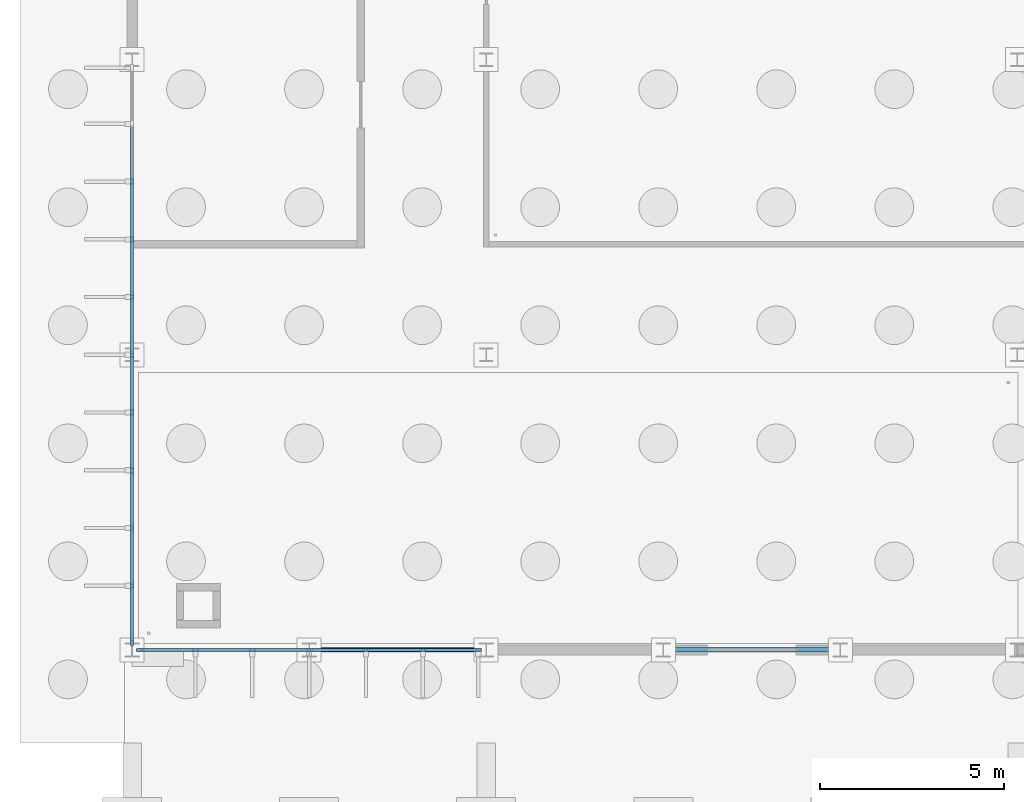
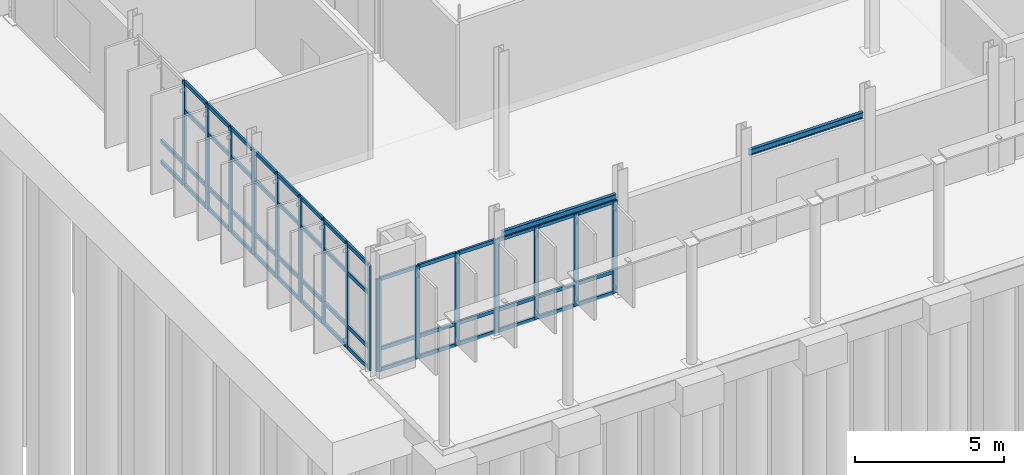
# One storey, part 21 of 111: 68 members, 2 beams, 2 elements without a shape of their own.
"""IFC4 building model written with IfcOpenShell, lengths in metres."""

from ifc_helpers import new_model, si_unit, direction, frame, origin, origin_2d, place, context, subcontext, project, spatial, rectangle, i_section, extrude, material, material_profile, profile_set, type_object, element, aggregate, save


model = new_model("IFC4")

# Units and contexts
model_context = context("Model", 3, precision=1e-05, world=origin(), true_north=direction((0.0, 1.0)))
body_context = subcontext(model_context, "Body", "Model", "MODEL_VIEW")
ifc_project = project(units=[si_unit("LENGTHUNIT", "METRE"), si_unit("AREAUNIT", "SQUARE_METRE"), si_unit("VOLUMEUNIT", "CUBIC_METRE"), si_unit("PLANEANGLEUNIT", "RADIAN"), si_unit("MASSUNIT", "GRAM", prefix="KILO")], contexts=[model_context])

# Site, building, storey
site_placement = place(None, origin())
site = spatial("IfcSite", under=ifc_project, at=site_placement, CompositionType="ELEMENT")
building_placement = place(site_placement, origin())
building = spatial("IfcBuilding", under=site, at=building_placement, Name="Dunescarp Central Library", CompositionType="ELEMENT")
storey_placement = place(building_placement, origin())
storey = spatial("IfcBuildingStorey", under=building, at=storey_placement, Name="L00", CompositionType="ELEMENT", Elevation=0.0)

# Curtain wall, members
ifc_material_1 = material(Name="Marine-grade anodised aluminium 6063-T6", Category="aluminium")
curtain_wall_type = type_object("IfcCurtainWallType", Name="ARC-CW-STICK", PredefinedType="NOTDEFINED", material=ifc_material_1)
curtain_wall_1_placement = place(storey_placement, origin())
curtain_wall_1 = element("IfcCurtainWall", 1, at=curtain_wall_1_placement, inside=storey, type_object=curtain_wall_type, Name="L00 curtain wall CW-V1-001", PredefinedType="NOTDEFINED")
ifc_material_profile_1 = material_profile(ifc_material_1, rectangle(XDim=0.080078125, YDim=0.179931640625, at=origin_2d()), Name="AL 80x180")
ifc_profile_set_1 = profile_set([ifc_material_profile_1], Name="Marine-grade anodised aluminium 6063-T6")
member_type_1 = type_object("IfcMemberType", Name="ARC-CWM-180", PredefinedType="MULLION", material=ifc_profile_set_1)
member_1_placement = place(storey_placement, frame((9.385009765625, 4.800048828125, 0.0), z_axis=(0.0, 0.0, 1.0), x_axis=(0.0, -1.0, 0.0)))
member_1 = element("IfcMember", 2, at=member_1_placement, type_object=member_type_1, Name="CW-V1-001 mullion 1", PredefinedType="MULLION", context=body_context, shape_type="SweptSolid", body=[
    extrude(rectangle(XDim=0.080078125, YDim=0.179931640625, at=origin_2d()), origin(), (0.0, 0.0, 1.0), 3.804931640625),
])
member_2_placement = place(storey_placement, frame((7.88330078125, 4.800048828125, 0.0), z_axis=(0.0, 0.0, 1.0), x_axis=(0.0, -1.0, 0.0)))
member_2 = element("IfcMember", 3, at=member_2_placement, type_object=member_type_1, Name="CW-V1-001 mullion 2", PredefinedType="MULLION", context=body_context, shape_type="SweptSolid", body=[
    extrude(rectangle(XDim=0.080078125, YDim=0.179931640625, at=origin_2d()), origin(), (0.0, 0.0, 1.0), 3.804931640625),
])
member_3_placement = place(storey_placement, frame((6.341552734375, 4.800048828125, 0.0), z_axis=(0.0, 0.0, 1.0), x_axis=(0.0, -1.0, 0.0)))
member_3 = element("IfcMember", 4, at=member_3_placement, type_object=member_type_1, Name="CW-V1-001 mullion 3", PredefinedType="MULLION", context=body_context, shape_type="SweptSolid", body=[
    extrude(rectangle(XDim=0.080078125, YDim=0.179931640625, at=origin_2d()), origin(), (0.0, 0.0, 1.0), 3.804931640625),
])
member_4_placement = place(storey_placement, frame((4.800048828125, 4.800048828125, 0.0), z_axis=(0.0, 0.0, 1.0), x_axis=(0.0, -1.0, 0.0)))
member_4 = element("IfcMember", 5, at=member_4_placement, type_object=member_type_1, Name="CW-V1-001 mullion 4", PredefinedType="MULLION", context=body_context, shape_type="SweptSolid", body=[
    extrude(rectangle(XDim=0.080078125, YDim=0.179931640625, at=origin_2d()), origin(), (0.0, 0.0, 1.0), 3.804931640625),
])
member_5_placement = place(storey_placement, frame((3.25830078125, 4.800048828125, 0.0), z_axis=(0.0, 0.0, 1.0), x_axis=(0.0, -1.0, 0.0)))
member_5 = element("IfcMember", 6, at=member_5_placement, type_object=member_type_1, Name="CW-V1-001 mullion 5", PredefinedType="MULLION", context=body_context, shape_type="SweptSolid", body=[
    extrude(rectangle(XDim=0.080078125, YDim=0.179931640625, at=origin_2d()), origin(), (0.0, 0.0, 1.0), 3.804931640625),
])
member_6_placement = place(storey_placement, frame((1.716552734375, 4.800048828125, 0.0), z_axis=(0.0, 0.0, 1.0), x_axis=(0.0, -1.0, 0.0)))
member_6 = element("IfcMember", 7, at=member_6_placement, type_object=member_type_1, Name="CW-V1-001 mullion 6", PredefinedType="MULLION", context=body_context, shape_type="SweptSolid", body=[
    extrude(rectangle(XDim=0.080078125, YDim=0.179931640625, at=origin_2d()), origin(), (0.0, 0.0, 1.0), 3.804931640625),
])
member_7_placement = place(storey_placement, frame((0.215087890625, 4.800048828125, 0.0), z_axis=(0.0, 0.0, 1.0), x_axis=(0.0, -1.0, 0.0)))
member_7 = element("IfcMember", 8, at=member_7_placement, type_object=member_type_1, Name="CW-V1-001 mullion 7", PredefinedType="MULLION", context=body_context, shape_type="SweptSolid", body=[
    extrude(rectangle(XDim=0.080078125, YDim=0.179931640625, at=origin_2d()), origin(), (0.0, 0.0, 1.0), 3.804931640625),
])

curtain_wall_2_placement = place(storey_placement, origin())
curtain_wall_2 = element("IfcCurtainWall", 9, at=curtain_wall_2_placement, inside=storey, type_object=curtain_wall_type, Name="L00 curtain wall CW-V1-003", PredefinedType="NOTDEFINED")
member_8_placement = place(storey_placement, frame((0.0, 5.014892578125, 0.0), z_axis=(0.0, 0.0, 1.0), x_axis=(-1.0, 0.0, 0.0)))
member_8 = element("IfcMember", 10, at=member_8_placement, type_object=member_type_1, Name="CW-V1-003 mullion 1", PredefinedType="MULLION", context=body_context, shape_type="SweptSolid", body=[
    extrude(rectangle(XDim=0.080078125, YDim=0.179931640625, at=origin_2d()), origin(), (0.0, 0.0, 1.0), 4.304931640625),
])
member_9_placement = place(storey_placement, frame((0.0, 6.5400390625, 0.0), z_axis=(0.0, 0.0, 1.0), x_axis=(-1.0, 0.0, 0.0)))
member_9 = element("IfcMember", 11, at=member_9_placement, type_object=member_type_1, Name="CW-V1-003 mullion 2", PredefinedType="MULLION", context=body_context, shape_type="SweptSolid", body=[
    extrude(rectangle(XDim=0.080078125, YDim=0.179931640625, at=origin_2d()), origin(), (0.0, 0.0, 1.0), 4.304931640625),
])
member_10_placement = place(storey_placement, frame((0.0, 8.10498046875, 0.0), z_axis=(0.0, 0.0, 1.0), x_axis=(-1.0, 0.0, 0.0)))
member_10 = element("IfcMember", 12, at=member_10_placement, type_object=member_type_1, Name="CW-V1-003 mullion 3", PredefinedType="MULLION", context=body_context, shape_type="SweptSolid", body=[
    extrude(rectangle(XDim=0.080078125, YDim=0.179931640625, at=origin_2d()), origin(), (0.0, 0.0, 1.0), 4.304931640625),
])
member_11_placement = place(storey_placement, frame((0.0, 9.669921875, 0.0), z_axis=(0.0, 0.0, 1.0), x_axis=(-1.0, 0.0, 0.0)))
member_11 = element("IfcMember", 13, at=member_11_placement, type_object=member_type_1, Name="CW-V1-003 mullion 4", PredefinedType="MULLION", context=body_context, shape_type="SweptSolid", body=[
    extrude(rectangle(XDim=0.080078125, YDim=0.179931640625, at=origin_2d()), origin(), (0.0, 0.0, 1.0), 4.304931640625),
])
member_12_placement = place(storey_placement, frame((0.0, 11.235107421875, 0.0), z_axis=(0.0, 0.0, 1.0), x_axis=(-1.0, 0.0, 0.0)))
member_12 = element("IfcMember", 14, at=member_12_placement, type_object=member_type_1, Name="CW-V1-003 mullion 5", PredefinedType="MULLION", context=body_context, shape_type="SweptSolid", body=[
    extrude(rectangle(XDim=0.080078125, YDim=0.179931640625, at=origin_2d()), origin(), (0.0, 0.0, 1.0), 4.304931640625),
])
member_13_placement = place(storey_placement, frame((0.0, 12.800048828125, 0.0), z_axis=(0.0, 0.0, 1.0), x_axis=(-1.0, 0.0, 0.0)))
member_13 = element("IfcMember", 15, at=member_13_placement, type_object=member_type_1, Name="CW-V1-003 mullion 6", PredefinedType="MULLION", context=body_context, shape_type="SweptSolid", body=[
    extrude(rectangle(XDim=0.080078125, YDim=0.179931640625, at=origin_2d()), origin(), (0.0, 0.0, 1.0), 4.304931640625),
])
member_14_placement = place(storey_placement, frame((0.0, 14.364990234375, 0.0), z_axis=(0.0, 0.0, 1.0), x_axis=(-1.0, 0.0, 0.0)))
member_14 = element("IfcMember", 16, at=member_14_placement, type_object=member_type_1, Name="CW-V1-003 mullion 7", PredefinedType="MULLION", context=body_context, shape_type="SweptSolid", body=[
    extrude(rectangle(XDim=0.080078125, YDim=0.179931640625, at=origin_2d()), origin(), (0.0, 0.0, 1.0), 4.304931640625),
])
member_15_placement = place(storey_placement, frame((0.0, 15.929931640625, 0.0), z_axis=(0.0, 0.0, 1.0), x_axis=(-1.0, 0.0, 0.0)))
member_15 = element("IfcMember", 17, at=member_15_placement, type_object=member_type_1, Name="CW-V1-003 mullion 8", PredefinedType="MULLION", context=body_context, shape_type="SweptSolid", body=[
    extrude(rectangle(XDim=0.080078125, YDim=0.179931640625, at=origin_2d()), origin(), (0.0, 0.0, 1.0), 4.304931640625),
])
member_16_placement = place(storey_placement, frame((0.0, 17.4951171875, 0.0), z_axis=(0.0, 0.0, 1.0), x_axis=(-1.0, 0.0, 0.0)))
member_16 = element("IfcMember", 18, at=member_16_placement, type_object=member_type_1, Name="CW-V1-003 mullion 9", PredefinedType="MULLION", context=body_context, shape_type="SweptSolid", body=[
    extrude(rectangle(XDim=0.080078125, YDim=0.179931640625, at=origin_2d()), origin(), (0.0, 0.0, 1.0), 4.304931640625),
])

# Member
ifc_material_profile_2 = material_profile(ifc_material_1, rectangle(XDim=0.080078125, YDim=0.14990234375, at=origin_2d()), Name="AL 80x150")
ifc_profile_set_2 = profile_set([ifc_material_profile_2], Name="Marine-grade anodised aluminium 6063-T6")
member_type_2 = type_object("IfcMemberType", Name="ARC-CWT-150", PredefinedType="USERDEFINED", material=ifc_profile_set_2)
member_17_placement = place(storey_placement, frame((9.344970703125, 4.800048828125, 0.0400390625), z_axis=(-1.0, 0.0, 0.0), x_axis=(0.0, -1.0, 0.0)))
member_17 = element("IfcMember", 19, at=member_17_placement, type_object=member_type_2, Name="CW-V1-001 transom 1.1", ObjectType="TRANSOM", PredefinedType="USERDEFINED", context=body_context, shape_type="SweptSolid", body=[
    extrude(rectangle(XDim=0.080078125, YDim=0.14990234375, at=origin_2d()), origin(), (0.0, 0.0, 1.0), 1.421630859375),
])

member_18_placement = place(storey_placement, frame((9.344970703125, 4.800048828125, 0.89990234375), z_axis=(-1.0, 0.0, 0.0), x_axis=(0.0, -1.0, 0.0)))
member_18 = element("IfcMember", 20, at=member_18_placement, type_object=member_type_2, Name="CW-V1-001 transom 1.2", ObjectType="TRANSOM", PredefinedType="USERDEFINED", context=body_context, shape_type="SweptSolid", body=[
    extrude(rectangle(XDim=0.080078125, YDim=0.14990234375, at=origin_2d()), origin(), (0.0, 0.0, 1.0), 1.421630859375),
])

member_19_placement = place(storey_placement, frame((9.344970703125, 4.800048828125, 3.764892578125), z_axis=(-1.0, 0.0, 0.0), x_axis=(0.0, -1.0, 0.0)))
member_19 = element("IfcMember", 21, at=member_19_placement, type_object=member_type_2, Name="CW-V1-001 transom 1.3", ObjectType="TRANSOM", PredefinedType="USERDEFINED", context=body_context, shape_type="SweptSolid", body=[
    extrude(rectangle(XDim=0.080078125, YDim=0.14990234375, at=origin_2d()), origin(), (0.0, 0.0, 1.0), 1.421630859375),
])

member_20_placement = place(storey_placement, frame((7.84326171875, 4.800048828125, 0.0400390625), z_axis=(-1.0, 0.0, 0.0), x_axis=(0.0, -1.0, 0.0)))
member_20 = element("IfcMember", 22, at=member_20_placement, type_object=member_type_2, Name="CW-V1-001 transom 2.1", ObjectType="TRANSOM", PredefinedType="USERDEFINED", context=body_context, shape_type="SweptSolid", body=[
    extrude(rectangle(XDim=0.080078125, YDim=0.14990234375, at=origin_2d()), origin(), (0.0, 0.0, 1.0), 1.461669921875),
])

member_21_placement = place(storey_placement, frame((7.84326171875, 4.800048828125, 0.89990234375), z_axis=(-1.0, 0.0, 0.0), x_axis=(0.0, -1.0, 0.0)))
member_21 = element("IfcMember", 23, at=member_21_placement, type_object=member_type_2, Name="CW-V1-001 transom 2.2", ObjectType="TRANSOM", PredefinedType="USERDEFINED", context=body_context, shape_type="SweptSolid", body=[
    extrude(rectangle(XDim=0.080078125, YDim=0.14990234375, at=origin_2d()), origin(), (0.0, 0.0, 1.0), 1.461669921875),
])

member_22_placement = place(storey_placement, frame((7.84326171875, 4.800048828125, 3.764892578125), z_axis=(-1.0, 0.0, 0.0), x_axis=(0.0, -1.0, 0.0)))
member_22 = element("IfcMember", 24, at=member_22_placement, type_object=member_type_2, Name="CW-V1-001 transom 2.3", ObjectType="TRANSOM", PredefinedType="USERDEFINED", context=body_context, shape_type="SweptSolid", body=[
    extrude(rectangle(XDim=0.080078125, YDim=0.14990234375, at=origin_2d()), origin(), (0.0, 0.0, 1.0), 1.461669921875),
])

member_23_placement = place(storey_placement, frame((6.3017578125, 4.800048828125, 0.0400390625), z_axis=(-1.0, 0.0, 0.0), x_axis=(0.0, -1.0, 0.0)))
member_23 = element("IfcMember", 25, at=member_23_placement, type_object=member_type_2, Name="CW-V1-001 transom 3.1", ObjectType="TRANSOM", PredefinedType="USERDEFINED", context=body_context, shape_type="SweptSolid", body=[
    extrude(rectangle(XDim=0.080078125, YDim=0.14990234375, at=origin_2d()), origin(), (0.0, 0.0, 1.0), 1.461669921875),
])

member_24_placement = place(storey_placement, frame((6.3017578125, 4.800048828125, 0.89990234375), z_axis=(-1.0, 0.0, 0.0), x_axis=(0.0, -1.0, 0.0)))
member_24 = element("IfcMember", 26, at=member_24_placement, type_object=member_type_2, Name="CW-V1-001 transom 3.2", ObjectType="TRANSOM", PredefinedType="USERDEFINED", context=body_context, shape_type="SweptSolid", body=[
    extrude(rectangle(XDim=0.080078125, YDim=0.14990234375, at=origin_2d()), origin(), (0.0, 0.0, 1.0), 1.461669921875),
])

member_25_placement = place(storey_placement, frame((6.3017578125, 4.800048828125, 3.764892578125), z_axis=(-1.0, 0.0, 0.0), x_axis=(0.0, -1.0, 0.0)))
member_25 = element("IfcMember", 27, at=member_25_placement, type_object=member_type_2, Name="CW-V1-001 transom 3.3", ObjectType="TRANSOM", PredefinedType="USERDEFINED", context=body_context, shape_type="SweptSolid", body=[
    extrude(rectangle(XDim=0.080078125, YDim=0.14990234375, at=origin_2d()), origin(), (0.0, 0.0, 1.0), 1.461669921875),
])

member_26_placement = place(storey_placement, frame((4.760009765625, 4.800048828125, 0.0400390625), z_axis=(-1.0, 0.0, 0.0), x_axis=(0.0, -1.0, 0.0)))
member_26 = element("IfcMember", 28, at=member_26_placement, type_object=member_type_2, Name="CW-V1-001 transom 4.1", ObjectType="TRANSOM", PredefinedType="USERDEFINED", context=body_context, shape_type="SweptSolid", body=[
    extrude(rectangle(XDim=0.080078125, YDim=0.14990234375, at=origin_2d()), origin(), (0.0, 0.0, 1.0), 1.461669921875),
])

member_27_placement = place(storey_placement, frame((4.760009765625, 4.800048828125, 0.89990234375), z_axis=(-1.0, 0.0, 0.0), x_axis=(0.0, -1.0, 0.0)))
member_27 = element("IfcMember", 29, at=member_27_placement, type_object=member_type_2, Name="CW-V1-001 transom 4.2", ObjectType="TRANSOM", PredefinedType="USERDEFINED", context=body_context, shape_type="SweptSolid", body=[
    extrude(rectangle(XDim=0.080078125, YDim=0.14990234375, at=origin_2d()), origin(), (0.0, 0.0, 1.0), 1.461669921875),
])

member_28_placement = place(storey_placement, frame((4.760009765625, 4.800048828125, 3.764892578125), z_axis=(-1.0, 0.0, 0.0), x_axis=(0.0, -1.0, 0.0)))
member_28 = element("IfcMember", 30, at=member_28_placement, type_object=member_type_2, Name="CW-V1-001 transom 4.3", ObjectType="TRANSOM", PredefinedType="USERDEFINED", context=body_context, shape_type="SweptSolid", body=[
    extrude(rectangle(XDim=0.080078125, YDim=0.14990234375, at=origin_2d()), origin(), (0.0, 0.0, 1.0), 1.461669921875),
])

member_29_placement = place(storey_placement, frame((3.21826171875, 4.800048828125, 0.0400390625), z_axis=(-1.0, 0.0, 0.0), x_axis=(0.0, -1.0, 0.0)))
member_29 = element("IfcMember", 31, at=member_29_placement, type_object=member_type_2, Name="CW-V1-001 transom 5.1", ObjectType="TRANSOM", PredefinedType="USERDEFINED", context=body_context, shape_type="SweptSolid", body=[
    extrude(rectangle(XDim=0.080078125, YDim=0.14990234375, at=origin_2d()), origin(), (0.0, 0.0, 1.0), 1.461669921875),
])

member_30_placement = place(storey_placement, frame((3.21826171875, 4.800048828125, 0.89990234375), z_axis=(-1.0, 0.0, 0.0), x_axis=(0.0, -1.0, 0.0)))
member_30 = element("IfcMember", 32, at=member_30_placement, type_object=member_type_2, Name="CW-V1-001 transom 5.2", ObjectType="TRANSOM", PredefinedType="USERDEFINED", context=body_context, shape_type="SweptSolid", body=[
    extrude(rectangle(XDim=0.080078125, YDim=0.14990234375, at=origin_2d()), origin(), (0.0, 0.0, 1.0), 1.461669921875),
])

member_31_placement = place(storey_placement, frame((3.21826171875, 4.800048828125, 3.764892578125), z_axis=(-1.0, 0.0, 0.0), x_axis=(0.0, -1.0, 0.0)))
member_31 = element("IfcMember", 33, at=member_31_placement, type_object=member_type_2, Name="CW-V1-001 transom 5.3", ObjectType="TRANSOM", PredefinedType="USERDEFINED", context=body_context, shape_type="SweptSolid", body=[
    extrude(rectangle(XDim=0.080078125, YDim=0.14990234375, at=origin_2d()), origin(), (0.0, 0.0, 1.0), 1.461669921875),
])

member_32_placement = place(storey_placement, frame((1.6767578125, 4.800048828125, 0.0400390625), z_axis=(-1.0, 0.0, 0.0), x_axis=(0.0, -1.0, 0.0)))
member_32 = element("IfcMember", 34, at=member_32_placement, type_object=member_type_2, Name="CW-V1-001 transom 6.1", ObjectType="TRANSOM", PredefinedType="USERDEFINED", context=body_context, shape_type="SweptSolid", body=[
    extrude(rectangle(XDim=0.080078125, YDim=0.14990234375, at=origin_2d()), origin(), (0.0, 0.0, 1.0), 1.421875),
])

member_33_placement = place(storey_placement, frame((1.6767578125, 4.800048828125, 0.89990234375), z_axis=(-1.0, 0.0, 0.0), x_axis=(0.0, -1.0, 0.0)))
member_33 = element("IfcMember", 35, at=member_33_placement, type_object=member_type_2, Name="CW-V1-001 transom 6.2", ObjectType="TRANSOM", PredefinedType="USERDEFINED", context=body_context, shape_type="SweptSolid", body=[
    extrude(rectangle(XDim=0.080078125, YDim=0.14990234375, at=origin_2d()), origin(), (0.0, 0.0, 1.0), 1.421875),
])

member_34_placement = place(storey_placement, frame((1.6767578125, 4.800048828125, 3.764892578125), z_axis=(-1.0, 0.0, 0.0), x_axis=(0.0, -1.0, 0.0)))
member_34 = element("IfcMember", 36, at=member_34_placement, type_object=member_type_2, Name="CW-V1-001 transom 6.3", ObjectType="TRANSOM", PredefinedType="USERDEFINED", context=body_context, shape_type="SweptSolid", body=[
    extrude(rectangle(XDim=0.080078125, YDim=0.14990234375, at=origin_2d()), origin(), (0.0, 0.0, 1.0), 1.421875),
])

aggregate(curtain_wall_1, [member_1, member_2, member_3, member_4, member_5, member_6, member_7, member_17, member_18, member_19, member_20, member_21, member_22, member_23, member_24, member_25, member_26, member_27, member_28, member_29, member_30, member_31, member_32, member_33, member_34])

member_35_placement = place(storey_placement, frame((0.0, 5.054931640625, 0.0400390625), z_axis=(0.0, 1.0, 0.0), x_axis=(-1.0, 0.0, 0.0)))
member_35 = element("IfcMember", 37, at=member_35_placement, type_object=member_type_2, Name="CW-V1-003 transom 1.1", ObjectType="TRANSOM", PredefinedType="USERDEFINED", context=body_context, shape_type="SweptSolid", body=[
    extrude(rectangle(XDim=0.080078125, YDim=0.14990234375, at=origin_2d()), origin(), (0.0, 0.0, 1.0), 1.445068359375),
])

member_36_placement = place(storey_placement, frame((0.0, 5.054931640625, 0.89990234375), z_axis=(0.0, 1.0, 0.0), x_axis=(-1.0, 0.0, 0.0)))
member_36 = element("IfcMember", 38, at=member_36_placement, type_object=member_type_2, Name="CW-V1-003 transom 1.2", ObjectType="TRANSOM", PredefinedType="USERDEFINED", context=body_context, shape_type="SweptSolid", body=[
    extrude(rectangle(XDim=0.080078125, YDim=0.14990234375, at=origin_2d()), origin(), (0.0, 0.0, 1.0), 1.445068359375),
])

member_37_placement = place(storey_placement, frame((0.0, 5.054931640625, 3.10009765625), z_axis=(0.0, 1.0, 0.0), x_axis=(-1.0, 0.0, 0.0)))
member_37 = element("IfcMember", 39, at=member_37_placement, type_object=member_type_2, Name="CW-V1-003 transom 1.3", ObjectType="TRANSOM", PredefinedType="USERDEFINED", context=body_context, shape_type="SweptSolid", body=[
    extrude(rectangle(XDim=0.080078125, YDim=0.14990234375, at=origin_2d()), origin(), (0.0, 0.0, 1.0), 1.445068359375),
])

member_38_placement = place(storey_placement, frame((0.0, 5.054931640625, 4.264892578125), z_axis=(0.0, 1.0, 0.0), x_axis=(-1.0, 0.0, 0.0)))
member_38 = element("IfcMember", 40, at=member_38_placement, type_object=member_type_2, Name="CW-V1-003 transom 1.4", ObjectType="TRANSOM", PredefinedType="USERDEFINED", context=body_context, shape_type="SweptSolid", body=[
    extrude(rectangle(XDim=0.080078125, YDim=0.14990234375, at=origin_2d()), origin(), (0.0, 0.0, 1.0), 1.445068359375),
])

member_39_placement = place(storey_placement, frame((0.0, 6.580078125, 0.0400390625), z_axis=(0.0, 1.0, 0.0), x_axis=(-1.0, 0.0, 0.0)))
member_39 = element("IfcMember", 41, at=member_39_placement, type_object=member_type_2, Name="CW-V1-003 transom 2.1", ObjectType="TRANSOM", PredefinedType="USERDEFINED", context=body_context, shape_type="SweptSolid", body=[
    extrude(rectangle(XDim=0.080078125, YDim=0.14990234375, at=origin_2d()), origin(), (0.0, 0.0, 1.0), 1.48486328125),
])

member_40_placement = place(storey_placement, frame((0.0, 6.580078125, 0.89990234375), z_axis=(0.0, 1.0, 0.0), x_axis=(-1.0, 0.0, 0.0)))
member_40 = element("IfcMember", 42, at=member_40_placement, type_object=member_type_2, Name="CW-V1-003 transom 2.2", ObjectType="TRANSOM", PredefinedType="USERDEFINED", context=body_context, shape_type="SweptSolid", body=[
    extrude(rectangle(XDim=0.080078125, YDim=0.14990234375, at=origin_2d()), origin(), (0.0, 0.0, 1.0), 1.48486328125),
])

member_41_placement = place(storey_placement, frame((0.0, 6.580078125, 3.10009765625), z_axis=(0.0, 1.0, 0.0), x_axis=(-1.0, 0.0, 0.0)))
member_41 = element("IfcMember", 43, at=member_41_placement, type_object=member_type_2, Name="CW-V1-003 transom 2.3", ObjectType="TRANSOM", PredefinedType="USERDEFINED", context=body_context, shape_type="SweptSolid", body=[
    extrude(rectangle(XDim=0.080078125, YDim=0.14990234375, at=origin_2d()), origin(), (0.0, 0.0, 1.0), 1.48486328125),
])

member_42_placement = place(storey_placement, frame((0.0, 6.580078125, 4.264892578125), z_axis=(0.0, 1.0, 0.0), x_axis=(-1.0, 0.0, 0.0)))
member_42 = element("IfcMember", 44, at=member_42_placement, type_object=member_type_2, Name="CW-V1-003 transom 2.4", ObjectType="TRANSOM", PredefinedType="USERDEFINED", context=body_context, shape_type="SweptSolid", body=[
    extrude(rectangle(XDim=0.080078125, YDim=0.14990234375, at=origin_2d()), origin(), (0.0, 0.0, 1.0), 1.48486328125),
])

member_43_placement = place(storey_placement, frame((0.0, 8.14501953125, 0.0400390625), z_axis=(0.0, 1.0, 0.0), x_axis=(-1.0, 0.0, 0.0)))
member_43 = element("IfcMember", 45, at=member_43_placement, type_object=member_type_2, Name="CW-V1-003 transom 3.1", ObjectType="TRANSOM", PredefinedType="USERDEFINED", context=body_context, shape_type="SweptSolid", body=[
    extrude(rectangle(XDim=0.080078125, YDim=0.14990234375, at=origin_2d()), origin(), (0.0, 0.0, 1.0), 1.48486328125),
])

member_44_placement = place(storey_placement, frame((0.0, 8.14501953125, 0.89990234375), z_axis=(0.0, 1.0, 0.0), x_axis=(-1.0, 0.0, 0.0)))
member_44 = element("IfcMember", 46, at=member_44_placement, type_object=member_type_2, Name="CW-V1-003 transom 3.2", ObjectType="TRANSOM", PredefinedType="USERDEFINED", context=body_context, shape_type="SweptSolid", body=[
    extrude(rectangle(XDim=0.080078125, YDim=0.14990234375, at=origin_2d()), origin(), (0.0, 0.0, 1.0), 1.48486328125),
])

member_45_placement = place(storey_placement, frame((0.0, 8.14501953125, 3.10009765625), z_axis=(0.0, 1.0, 0.0), x_axis=(-1.0, 0.0, 0.0)))
member_45 = element("IfcMember", 47, at=member_45_placement, type_object=member_type_2, Name="CW-V1-003 transom 3.3", ObjectType="TRANSOM", PredefinedType="USERDEFINED", context=body_context, shape_type="SweptSolid", body=[
    extrude(rectangle(XDim=0.080078125, YDim=0.14990234375, at=origin_2d()), origin(), (0.0, 0.0, 1.0), 1.48486328125),
])

member_46_placement = place(storey_placement, frame((0.0, 8.14501953125, 4.264892578125), z_axis=(0.0, 1.0, 0.0), x_axis=(-1.0, 0.0, 0.0)))
member_46 = element("IfcMember", 48, at=member_46_placement, type_object=member_type_2, Name="CW-V1-003 transom 3.4", ObjectType="TRANSOM", PredefinedType="USERDEFINED", context=body_context, shape_type="SweptSolid", body=[
    extrude(rectangle(XDim=0.080078125, YDim=0.14990234375, at=origin_2d()), origin(), (0.0, 0.0, 1.0), 1.48486328125),
])

member_47_placement = place(storey_placement, frame((0.0, 9.7099609375, 0.0400390625), z_axis=(0.0, 1.0, 0.0), x_axis=(-1.0, 0.0, 0.0)))
member_47 = element("IfcMember", 49, at=member_47_placement, type_object=member_type_2, Name="CW-V1-003 transom 4.1", ObjectType="TRANSOM", PredefinedType="USERDEFINED", context=body_context, shape_type="SweptSolid", body=[
    extrude(rectangle(XDim=0.080078125, YDim=0.14990234375, at=origin_2d()), origin(), (0.0, 0.0, 1.0), 1.485107421875),
])

member_48_placement = place(storey_placement, frame((0.0, 9.7099609375, 0.89990234375), z_axis=(0.0, 1.0, 0.0), x_axis=(-1.0, 0.0, 0.0)))
member_48 = element("IfcMember", 50, at=member_48_placement, type_object=member_type_2, Name="CW-V1-003 transom 4.2", ObjectType="TRANSOM", PredefinedType="USERDEFINED", context=body_context, shape_type="SweptSolid", body=[
    extrude(rectangle(XDim=0.080078125, YDim=0.14990234375, at=origin_2d()), origin(), (0.0, 0.0, 1.0), 1.485107421875),
])

member_49_placement = place(storey_placement, frame((0.0, 9.7099609375, 3.10009765625), z_axis=(0.0, 1.0, 0.0), x_axis=(-1.0, 0.0, 0.0)))
member_49 = element("IfcMember", 51, at=member_49_placement, type_object=member_type_2, Name="CW-V1-003 transom 4.3", ObjectType="TRANSOM", PredefinedType="USERDEFINED", context=body_context, shape_type="SweptSolid", body=[
    extrude(rectangle(XDim=0.080078125, YDim=0.14990234375, at=origin_2d()), origin(), (0.0, 0.0, 1.0), 1.485107421875),
])

member_50_placement = place(storey_placement, frame((0.0, 9.7099609375, 4.264892578125), z_axis=(0.0, 1.0, 0.0), x_axis=(-1.0, 0.0, 0.0)))
member_50 = element("IfcMember", 52, at=member_50_placement, type_object=member_type_2, Name="CW-V1-003 transom 4.4", ObjectType="TRANSOM", PredefinedType="USERDEFINED", context=body_context, shape_type="SweptSolid", body=[
    extrude(rectangle(XDim=0.080078125, YDim=0.14990234375, at=origin_2d()), origin(), (0.0, 0.0, 1.0), 1.485107421875),
])

member_51_placement = place(storey_placement, frame((0.0, 11.27490234375, 0.0400390625), z_axis=(0.0, 1.0, 0.0), x_axis=(-1.0, 0.0, 0.0)))
member_51 = element("IfcMember", 53, at=member_51_placement, type_object=member_type_2, Name="CW-V1-003 transom 5.1", ObjectType="TRANSOM", PredefinedType="USERDEFINED", context=body_context, shape_type="SweptSolid", body=[
    extrude(rectangle(XDim=0.080078125, YDim=0.14990234375, at=origin_2d()), origin(), (0.0, 0.0, 1.0), 1.485107421875),
])

member_52_placement = place(storey_placement, frame((0.0, 11.27490234375, 0.89990234375), z_axis=(0.0, 1.0, 0.0), x_axis=(-1.0, 0.0, 0.0)))
member_52 = element("IfcMember", 54, at=member_52_placement, type_object=member_type_2, Name="CW-V1-003 transom 5.2", ObjectType="TRANSOM", PredefinedType="USERDEFINED", context=body_context, shape_type="SweptSolid", body=[
    extrude(rectangle(XDim=0.080078125, YDim=0.14990234375, at=origin_2d()), origin(), (0.0, 0.0, 1.0), 1.485107421875),
])

member_53_placement = place(storey_placement, frame((0.0, 11.27490234375, 3.10009765625), z_axis=(0.0, 1.0, 0.0), x_axis=(-1.0, 0.0, 0.0)))
member_53 = element("IfcMember", 55, at=member_53_placement, type_object=member_type_2, Name="CW-V1-003 transom 5.3", ObjectType="TRANSOM", PredefinedType="USERDEFINED", context=body_context, shape_type="SweptSolid", body=[
    extrude(rectangle(XDim=0.080078125, YDim=0.14990234375, at=origin_2d()), origin(), (0.0, 0.0, 1.0), 1.485107421875),
])

member_54_placement = place(storey_placement, frame((0.0, 11.27490234375, 4.264892578125), z_axis=(0.0, 1.0, 0.0), x_axis=(-1.0, 0.0, 0.0)))
member_54 = element("IfcMember", 56, at=member_54_placement, type_object=member_type_2, Name="CW-V1-003 transom 5.4", ObjectType="TRANSOM", PredefinedType="USERDEFINED", context=body_context, shape_type="SweptSolid", body=[
    extrude(rectangle(XDim=0.080078125, YDim=0.14990234375, at=origin_2d()), origin(), (0.0, 0.0, 1.0), 1.485107421875),
])

member_55_placement = place(storey_placement, frame((0.0, 12.840087890625, 0.0400390625), z_axis=(0.0, 1.0, 0.0), x_axis=(-1.0, 0.0, 0.0)))
member_55 = element("IfcMember", 57, at=member_55_placement, type_object=member_type_2, Name="CW-V1-003 transom 6.1", ObjectType="TRANSOM", PredefinedType="USERDEFINED", context=body_context, shape_type="SweptSolid", body=[
    extrude(rectangle(XDim=0.080078125, YDim=0.14990234375, at=origin_2d()), origin(), (0.0, 0.0, 1.0), 1.48486328125),
])

member_56_placement = place(storey_placement, frame((0.0, 12.840087890625, 0.89990234375), z_axis=(0.0, 1.0, 0.0), x_axis=(-1.0, 0.0, 0.0)))
member_56 = element("IfcMember", 58, at=member_56_placement, type_object=member_type_2, Name="CW-V1-003 transom 6.2", ObjectType="TRANSOM", PredefinedType="USERDEFINED", context=body_context, shape_type="SweptSolid", body=[
    extrude(rectangle(XDim=0.080078125, YDim=0.14990234375, at=origin_2d()), origin(), (0.0, 0.0, 1.0), 1.48486328125),
])

member_57_placement = place(storey_placement, frame((0.0, 12.840087890625, 3.10009765625), z_axis=(0.0, 1.0, 0.0), x_axis=(-1.0, 0.0, 0.0)))
member_57 = element("IfcMember", 59, at=member_57_placement, type_object=member_type_2, Name="CW-V1-003 transom 6.3", ObjectType="TRANSOM", PredefinedType="USERDEFINED", context=body_context, shape_type="SweptSolid", body=[
    extrude(rectangle(XDim=0.080078125, YDim=0.14990234375, at=origin_2d()), origin(), (0.0, 0.0, 1.0), 1.48486328125),
])

member_58_placement = place(storey_placement, frame((0.0, 12.840087890625, 4.264892578125), z_axis=(0.0, 1.0, 0.0), x_axis=(-1.0, 0.0, 0.0)))
member_58 = element("IfcMember", 60, at=member_58_placement, type_object=member_type_2, Name="CW-V1-003 transom 6.4", ObjectType="TRANSOM", PredefinedType="USERDEFINED", context=body_context, shape_type="SweptSolid", body=[
    extrude(rectangle(XDim=0.080078125, YDim=0.14990234375, at=origin_2d()), origin(), (0.0, 0.0, 1.0), 1.48486328125),
])

member_59_placement = place(storey_placement, frame((0.0, 14.405029296875, 0.0400390625), z_axis=(0.0, 1.0, 0.0), x_axis=(-1.0, 0.0, 0.0)))
member_59 = element("IfcMember", 61, at=member_59_placement, type_object=member_type_2, Name="CW-V1-003 transom 7.1", ObjectType="TRANSOM", PredefinedType="USERDEFINED", context=body_context, shape_type="SweptSolid", body=[
    extrude(rectangle(XDim=0.080078125, YDim=0.14990234375, at=origin_2d()), origin(), (0.0, 0.0, 1.0), 1.48486328125),
])

member_60_placement = place(storey_placement, frame((0.0, 14.405029296875, 0.89990234375), z_axis=(0.0, 1.0, 0.0), x_axis=(-1.0, 0.0, 0.0)))
member_60 = element("IfcMember", 62, at=member_60_placement, type_object=member_type_2, Name="CW-V1-003 transom 7.2", ObjectType="TRANSOM", PredefinedType="USERDEFINED", context=body_context, shape_type="SweptSolid", body=[
    extrude(rectangle(XDim=0.080078125, YDim=0.14990234375, at=origin_2d()), origin(), (0.0, 0.0, 1.0), 1.48486328125),
])

member_61_placement = place(storey_placement, frame((0.0, 14.405029296875, 3.10009765625), z_axis=(0.0, 1.0, 0.0), x_axis=(-1.0, 0.0, 0.0)))
member_61 = element("IfcMember", 63, at=member_61_placement, type_object=member_type_2, Name="CW-V1-003 transom 7.3", ObjectType="TRANSOM", PredefinedType="USERDEFINED", context=body_context, shape_type="SweptSolid", body=[
    extrude(rectangle(XDim=0.080078125, YDim=0.14990234375, at=origin_2d()), origin(), (0.0, 0.0, 1.0), 1.48486328125),
])

member_62_placement = place(storey_placement, frame((0.0, 14.405029296875, 4.264892578125), z_axis=(0.0, 1.0, 0.0), x_axis=(-1.0, 0.0, 0.0)))
member_62 = element("IfcMember", 64, at=member_62_placement, type_object=member_type_2, Name="CW-V1-003 transom 7.4", ObjectType="TRANSOM", PredefinedType="USERDEFINED", context=body_context, shape_type="SweptSolid", body=[
    extrude(rectangle(XDim=0.080078125, YDim=0.14990234375, at=origin_2d()), origin(), (0.0, 0.0, 1.0), 1.48486328125),
])

member_63_placement = place(storey_placement, frame((0.0, 15.969970703125, 0.0400390625), z_axis=(0.0, 1.0, 0.0), x_axis=(-1.0, 0.0, 0.0)))
member_63 = element("IfcMember", 65, at=member_63_placement, type_object=member_type_2, Name="CW-V1-003 transom 8.1", ObjectType="TRANSOM", PredefinedType="USERDEFINED", context=body_context, shape_type="SweptSolid", body=[
    extrude(rectangle(XDim=0.080078125, YDim=0.14990234375, at=origin_2d()), origin(), (0.0, 0.0, 1.0), 1.485107421875),
])

member_64_placement = place(storey_placement, frame((0.0, 15.969970703125, 0.89990234375), z_axis=(0.0, 1.0, 0.0), x_axis=(-1.0, 0.0, 0.0)))
member_64 = element("IfcMember", 66, at=member_64_placement, type_object=member_type_2, Name="CW-V1-003 transom 8.2", ObjectType="TRANSOM", PredefinedType="USERDEFINED", context=body_context, shape_type="SweptSolid", body=[
    extrude(rectangle(XDim=0.080078125, YDim=0.14990234375, at=origin_2d()), origin(), (0.0, 0.0, 1.0), 1.485107421875),
])

member_65_placement = place(storey_placement, frame((0.0, 15.969970703125, 3.10009765625), z_axis=(0.0, 1.0, 0.0), x_axis=(-1.0, 0.0, 0.0)))
member_65 = element("IfcMember", 67, at=member_65_placement, type_object=member_type_2, Name="CW-V1-003 transom 8.3", ObjectType="TRANSOM", PredefinedType="USERDEFINED", context=body_context, shape_type="SweptSolid", body=[
    extrude(rectangle(XDim=0.080078125, YDim=0.14990234375, at=origin_2d()), origin(), (0.0, 0.0, 1.0), 1.485107421875),
])

member_66_placement = place(storey_placement, frame((0.0, 15.969970703125, 4.264892578125), z_axis=(0.0, 1.0, 0.0), x_axis=(-1.0, 0.0, 0.0)))
member_66 = element("IfcMember", 68, at=member_66_placement, type_object=member_type_2, Name="CW-V1-003 transom 8.4", ObjectType="TRANSOM", PredefinedType="USERDEFINED", context=body_context, shape_type="SweptSolid", body=[
    extrude(rectangle(XDim=0.080078125, YDim=0.14990234375, at=origin_2d()), origin(), (0.0, 0.0, 1.0), 1.485107421875),
])

member_67_placement = place(storey_placement, frame((0.0, 17.534912109375, 0.0400390625), z_axis=(0.0, 1.0, 0.0), x_axis=(-1.0, 0.0, 0.0)))
member_67 = element("IfcMember", 69, at=member_67_placement, type_object=member_type_2, Name="CW-V1-003 transom 9.1", ObjectType="TRANSOM", PredefinedType="USERDEFINED", context=body_context, shape_type="SweptSolid", body=[
    extrude(rectangle(XDim=0.080078125, YDim=0.14990234375, at=origin_2d()), origin(), (0.0, 0.0, 1.0), 1.485107421875),
])

member_68_placement = place(storey_placement, frame((0.0, 17.534912109375, 0.89990234375), z_axis=(0.0, 1.0, 0.0), x_axis=(-1.0, 0.0, 0.0)))
member_68 = element("IfcMember", 70, at=member_68_placement, type_object=member_type_2, Name="CW-V1-003 transom 9.2", ObjectType="TRANSOM", PredefinedType="USERDEFINED", context=body_context, shape_type="SweptSolid", body=[
    extrude(rectangle(XDim=0.080078125, YDim=0.14990234375, at=origin_2d()), origin(), (0.0, 0.0, 1.0), 1.485107421875),
])

aggregate(curtain_wall_2, [member_8, member_9, member_10, member_11, member_12, member_13, member_14, member_15, member_16, member_35, member_36, member_37, member_38, member_39, member_40, member_41, member_42, member_43, member_44, member_45, member_46, member_47, member_48, member_49, member_50, member_51, member_52, member_53, member_54, member_55, member_56, member_57, member_58, member_59, member_60, member_61, member_62, member_63, member_64, member_65, member_66, member_67, member_68])

# Beams
ifc_material_2 = material(Name="Steel S355JR", Category="steel")
ifc_material_profile_3 = material_profile(ifc_material_2, i_section(OverallWidth=0.1201171875, OverallDepth=0.239990234375, WebThickness=0.006103515625, FlangeThickness=0.009765625, at=origin_2d()), Name="IPE 240")
ifc_profile_set_3 = profile_set([ifc_material_profile_3], Name="Steel S355JR")
beam_type = type_object("IfcBeamType", Name="STR-LN-IPE240", PredefinedType="LINTEL", material=ifc_profile_set_3)
for number, where, z_axis, x_axis, name in (
    (71, (4.987060546875, 4.800048828125, 3.949951171875), (1.0, 0.0, 0.0), (0.0, 1.0, 0.0), "L00 structural lintel LN-L00-04"),
    (72, (14.5869140625, 4.800048828125, 3.949951171875), (1.0, 0.0, 0.0), (0.0, 1.0, 0.0), "L00 structural lintel LN-L00-05"),
):
    element("IfcBeam", number, at=place(storey_placement, frame(where, z_axis=z_axis, x_axis=x_axis)), inside=storey, type_object=beam_type, Name=name, PredefinedType="LINTEL", context=body_context, shape_type="SweptSolid", body=[
        extrude(i_section(OverallWidth=0.1201171875, OverallDepth=0.239990234375, WebThickness=0.006103515625, FlangeThickness=0.009765625, at=origin_2d()), origin(), (0.0, 0.0, 1.0), 4.426025390625),
    ])

save(model, "model.ifc")
